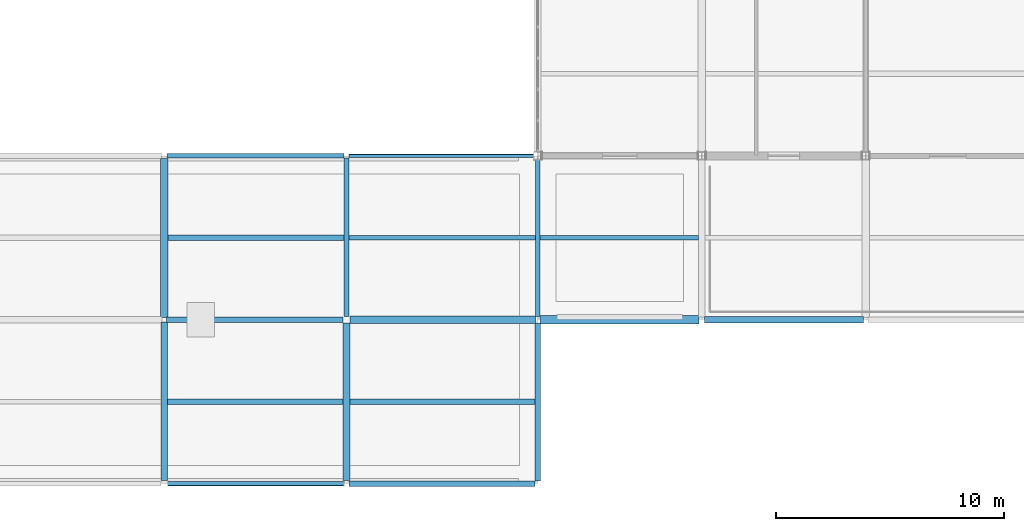
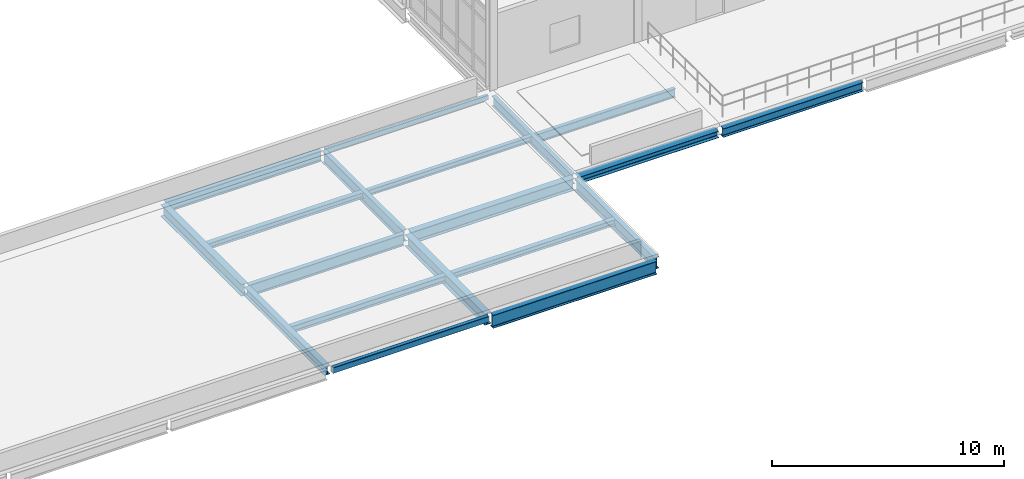
# One storey, part 38 of 153: 19 beams.
"""IFC4 building model written with IfcOpenShell, lengths in metres."""

from ifc_helpers import new_model, si_unit, direction, frame, origin, origin_2d, place, context, subcontext, project, spatial, hollow_rectangle, i_section, extrude, material, material_profile, profile_set, type_object, element, save


model = new_model("IFC4")

# Units and contexts
model_context = context("Model", 3, precision=1e-05, world=origin(), true_north=direction((0.0, 1.0)))
body_context = subcontext(model_context, "Body", "Model", "MODEL_VIEW")
ifc_project = project(units=[si_unit("LENGTHUNIT", "METRE"), si_unit("AREAUNIT", "SQUARE_METRE"), si_unit("VOLUMEUNIT", "CUBIC_METRE"), si_unit("PLANEANGLEUNIT", "RADIAN"), si_unit("MASSUNIT", "GRAM", prefix="KILO")], contexts=[model_context])

# Site, building, storey
site_placement = place(None, origin())
site = spatial("IfcSite", under=ifc_project, at=site_placement, CompositionType="ELEMENT")
building_placement = place(site_placement, origin())
building = spatial("IfcBuilding", under=site, at=building_placement, Name="Calvrana Isthmian Art Gallery", CompositionType="ELEMENT")
storey_placement = place(building_placement, frame((0.0, 0.0, 10.199951171875)))
storey = spatial("IfcBuildingStorey", under=building, at=storey_placement, Name="L02", CompositionType="ELEMENT", Elevation=10.199951171875)

# Beams
ifc_material_1 = material(Name="Steel ASTM A992 Gr 50", Category="steel")
ifc_material_profile_1 = material_profile(ifc_material_1, i_section(OverallWidth=0.279052734375, OverallDepth=0.4619140625, WebThickness=0.0107421875, FlangeThickness=0.017333984375, FilletRadius=0.02001953125, at=origin_2d()), Name="W18X76")
ifc_profile_set_1 = profile_set([ifc_material_profile_1], Name="Steel ASTM A992 Gr 50")
beam_type_1 = type_object("IfcBeamType", Name="BM-G-W18X76", PredefinedType="BEAM", material=ifc_profile_set_1)
beam_1_placement = place(storey_placement, frame((120.126953125, 7.199951171875, -0.495849609375), z_axis=(1.0, 0.0, 0.0), x_axis=(0.0, 1.0, 0.0)))
element("IfcBeam", 1, at=beam_1_placement, inside=storey, type_object=beam_type_1, Name="Girder X L02 16-17/B", PredefinedType="BEAM", context=body_context, shape_type="SweptSolid", body=[
    extrude(i_section(OverallWidth=0.279052734375, OverallDepth=0.4619140625, WebThickness=0.0107421875, FlangeThickness=0.017333984375, FilletRadius=0.02001953125, at=origin_2d()), origin(), (0.0, 0.0, 1.0), 6.971435546875),
])
beam_2_placement = place(storey_placement, frame((96.39990234375, 0.15234375, -0.495849609375), z_axis=(0.0, 1.0, 0.0), x_axis=(-1.0, 0.0, 0.0)))
element("IfcBeam", 2, at=beam_2_placement, inside=storey, type_object=beam_type_1, Name="Girder Y L02 13/A-B", PredefinedType="BEAM", context=body_context, shape_type="SweptSolid", body=[
    extrude(i_section(OverallWidth=0.279052734375, OverallDepth=0.4619140625, WebThickness=0.0107421875, FlangeThickness=0.017333984375, FilletRadius=0.02001953125, at=origin_2d()), origin(), (0.0, 0.0, 1.0), 6.946044921875),
])
ifc_material_profile_2 = material_profile(ifc_material_1, i_section(OverallWidth=0.208984375, OverallDepth=0.532958984375, WebThickness=0.01025390625, FlangeThickness=0.015625, FilletRadius=0.02099609375, at=origin_2d()), Name="W21X62")
ifc_profile_set_2 = profile_set([ifc_material_profile_2], Name="Steel ASTM A992 Gr 50")
beam_type_2 = type_object("IfcBeamType", Name="BM-G-W21X62", PredefinedType="BEAM", material=ifc_profile_set_2)
beam_3_placement = place(storey_placement, frame((112.800048828125, 7.352294921875, -0.531494140625), z_axis=(0.0, 1.0, 0.0), x_axis=(-1.0, 0.0, 0.0)))
element("IfcBeam", 3, at=beam_3_placement, inside=storey, type_object=beam_type_2, Name="Girder Y L02 15/B-C", PredefinedType="BEAM", context=body_context, shape_type="SweptSolid", body=[
    extrude(i_section(OverallWidth=0.208984375, OverallDepth=0.532958984375, WebThickness=0.01025390625, FlangeThickness=0.015625, FilletRadius=0.02099609375, at=origin_2d()), origin(), (0.0, 0.0, 1.0), 6.86376953125),
])
ifc_material_profile_3 = material_profile(ifc_material_1, i_section(OverallWidth=0.214111328125, OverallDepth=0.549072265625, WebThickness=0.0146484375, FlangeThickness=0.023681640625, FilletRadius=0.02099609375, at=origin_2d()), Name="W21X93")
ifc_profile_set_3 = profile_set([ifc_material_profile_3], Name="Steel ASTM A992 Gr 50")
beam_type_3 = type_object("IfcBeamType", Name="BM-G-W21X93", PredefinedType="BEAM", material=ifc_profile_set_3)
beam_4_placement = place(storey_placement, frame((96.527099609375, 14.39990234375, -0.53955078125), z_axis=(1.0, 0.0, 0.0), x_axis=(0.0, 1.0, 0.0)))
element("IfcBeam", 4, at=beam_4_placement, inside=storey, type_object=beam_type_3, Name="Girder X L02 13-14/C", PredefinedType="BEAM", context=body_context, shape_type="SweptSolid", body=[
    extrude(i_section(OverallWidth=0.214111328125, OverallDepth=0.549072265625, WebThickness=0.0146484375, FlangeThickness=0.023681640625, FilletRadius=0.02099609375, at=origin_2d()), origin(), (0.0, 0.0, 1.0), 7.771240234375),
])
ifc_material_profile_4 = material_profile(ifc_material_1, i_section(OverallWidth=0.324951171875, OverallDepth=0.612060546875, WebThickness=0.0126953125, FlangeThickness=0.01904296875, FilletRadius=0.02197265625, at=origin_2d()), Name="W24X104")
ifc_profile_set_4 = profile_set([ifc_material_profile_4], Name="Steel ASTM A992 Gr 50")
beam_type_4 = type_object("IfcBeamType", Name="BM-G-W24X104", PredefinedType="BEAM", material=ifc_profile_set_4)
beam_5_placement = place(storey_placement, frame((96.39990234375, 7.301513671875, -0.571044921875), z_axis=(0.0, 1.0, 0.0), x_axis=(-1.0, 0.0, 0.0)))
element("IfcBeam", 5, at=beam_5_placement, inside=storey, type_object=beam_type_4, Name="Girder Y L02 13/B-C", PredefinedType="BEAM", context=body_context, shape_type="SweptSolid", body=[
    extrude(i_section(OverallWidth=0.324951171875, OverallDepth=0.612060546875, WebThickness=0.0126953125, FlangeThickness=0.01904296875, FilletRadius=0.02197265625, at=origin_2d()), origin(), (0.0, 0.0, 1.0), 6.971435546875),
])
beam_6_placement = place(storey_placement, frame((104.39990234375, 0.15234375, -0.571044921875), z_axis=(0.0, 1.0, 0.0), x_axis=(-1.0, 0.0, 0.0)))
element("IfcBeam", 6, at=beam_6_placement, inside=storey, type_object=beam_type_4, Name="Girder Y L02 14/A-B", PredefinedType="BEAM", context=body_context, shape_type="SweptSolid", body=[
    extrude(i_section(OverallWidth=0.324951171875, OverallDepth=0.612060546875, WebThickness=0.0126953125, FlangeThickness=0.01904296875, FilletRadius=0.02197265625, at=origin_2d()), origin(), (0.0, 0.0, 1.0), 6.895263671875),
])
ifc_material_profile_5 = material_profile(ifc_material_1, i_section(OverallWidth=0.327880859375, OverallDepth=0.6220703125, WebThickness=0.015380859375, FlangeThickness=0.0244140625, FilletRadius=0.02197265625, at=origin_2d()), Name="W24X131")
ifc_profile_set_5 = profile_set([ifc_material_profile_5], Name="Steel ASTM A992 Gr 50")
beam_type_5 = type_object("IfcBeamType", Name="BM-G-W24X131", PredefinedType="BEAM", material=ifc_profile_set_5)
beam_7_placement = place(storey_placement, frame((104.552490234375, 7.199951171875, -0.575927734375), z_axis=(1.0, 0.0, 0.0), x_axis=(0.0, 1.0, 0.0)))
element("IfcBeam", 7, at=beam_7_placement, inside=storey, type_object=beam_type_5, Name="Girder X L02 14-15/B", PredefinedType="BEAM", context=body_context, shape_type="SweptSolid", body=[
    extrude(i_section(OverallWidth=0.327880859375, OverallDepth=0.6220703125, WebThickness=0.015380859375, FlangeThickness=0.0244140625, FilletRadius=0.02197265625, at=origin_2d()), origin(), (0.0, 0.0, 1.0), 8.14599609375),
])
ifc_material_profile_6 = material_profile(ifc_material_1, i_section(OverallWidth=0.22802734375, OverallDepth=0.60693359375, WebThickness=0.01123046875, FlangeThickness=0.017333984375, FilletRadius=0.02197265625, at=origin_2d()), Name="W24X76")
ifc_profile_set_6 = profile_set([ifc_material_profile_6], Name="Steel ASTM A992 Gr 50")
beam_type_6 = type_object("IfcBeamType", Name="BM-G-W24X76", PredefinedType="BEAM", material=ifc_profile_set_6)
beam_8_placement = place(storey_placement, frame((96.501708984375, 7.199951171875, -0.568359375), z_axis=(1.0, 0.0, 0.0), x_axis=(0.0, 1.0, 0.0)))
element("IfcBeam", 8, at=beam_8_placement, inside=storey, type_object=beam_type_6, Name="Girder X L02 13-14/B", PredefinedType="BEAM", context=body_context, shape_type="SweptSolid", body=[
    extrude(i_section(OverallWidth=0.22802734375, OverallDepth=0.60693359375, WebThickness=0.01123046875, FlangeThickness=0.017333984375, FilletRadius=0.02197265625, at=origin_2d()), origin(), (0.0, 0.0, 1.0), 7.745849609375),
])
beam_9_placement = place(storey_placement, frame((104.39990234375, 7.352294921875, -0.568359375), z_axis=(0.0, 1.0, 0.0), x_axis=(-1.0, 0.0, 0.0)))
element("IfcBeam", 9, at=beam_9_placement, inside=storey, type_object=beam_type_6, Name="Girder Y L02 14/B-C", PredefinedType="BEAM", context=body_context, shape_type="SweptSolid", body=[
    extrude(i_section(OverallWidth=0.22802734375, OverallDepth=0.60693359375, WebThickness=0.01123046875, FlangeThickness=0.017333984375, FilletRadius=0.02197265625, at=origin_2d()), origin(), (0.0, 0.0, 1.0), 6.946044921875),
])
beam_10_placement = place(storey_placement, frame((112.800048828125, 0.126953125, -0.568359375), z_axis=(0.0, 1.0, 0.0), x_axis=(-1.0, 0.0, 0.0)))
element("IfcBeam", 10, at=beam_10_placement, inside=storey, type_object=beam_type_6, Name="Girder Y L02 15/A-B", PredefinedType="BEAM", context=body_context, shape_type="SweptSolid", body=[
    extrude(i_section(OverallWidth=0.22802734375, OverallDepth=0.60693359375, WebThickness=0.01123046875, FlangeThickness=0.017333984375, FilletRadius=0.02197265625, at=origin_2d()), origin(), (0.0, 0.0, 1.0), 6.920654296875),
])
ifc_material_profile_7 = material_profile(ifc_material_1, i_section(OverallWidth=0.257080078125, OverallDepth=0.693115234375, WebThickness=0.014404296875, FlangeThickness=0.023681640625, FilletRadius=0.02392578125, at=origin_2d()), Name="W27X114")
ifc_profile_set_7 = profile_set([ifc_material_profile_7], Name="Steel ASTM A992 Gr 50")
beam_type_7 = type_object("IfcBeamType", Name="BM-G-W27X114", PredefinedType="BEAM", material=ifc_profile_set_7)
beam_11_placement = place(storey_placement, frame((104.501708984375, 0.0, -0.611572265625), z_axis=(1.0, 0.0, 0.0), x_axis=(0.0, 1.0, 0.0)))
element("IfcBeam", 11, at=beam_11_placement, inside=storey, type_object=beam_type_7, Name="Girder X L02 14-15/A", PredefinedType="BEAM", context=body_context, shape_type="SweptSolid", body=[
    extrude(i_section(OverallWidth=0.257080078125, OverallDepth=0.693115234375, WebThickness=0.014404296875, FlangeThickness=0.023681640625, FilletRadius=0.02392578125, at=origin_2d()), origin(), (0.0, 0.0, 1.0), 8.17138671875),
])
ifc_material_profile_8 = material_profile(ifc_material_1, i_section(OverallWidth=0.202880859375, OverallDepth=0.302001953125, WebThickness=0.007568359375, FlangeThickness=0.01318359375, FilletRadius=0.01611328125, at=origin_2d()), Name="W12X40")
ifc_profile_set_8 = profile_set([ifc_material_profile_8], Name="Steel ASTM A992 Gr 50")
beam_type_8 = type_object("IfcBeamType", Name="BM-J-W12X40", PredefinedType="JOIST", material=ifc_profile_set_8)
beam_12_placement = place(storey_placement, frame((104.513916015625, 10.800048828125, -0.416015625), z_axis=(1.0, 0.0, 0.0), x_axis=(0.0, 1.0, 0.0)))
element("IfcBeam", 12, at=beam_12_placement, inside=storey, type_object=beam_type_8, Name="Composite joist L02 bay 13-01", PredefinedType="JOIST", context=body_context, shape_type="SweptSolid", body=[
    extrude(i_section(OverallWidth=0.202880859375, OverallDepth=0.302001953125, WebThickness=0.007568359375, FlangeThickness=0.01318359375, FilletRadius=0.01611328125, at=origin_2d()), origin(), (0.0, 0.0, 1.0), 8.181640625),
])
ifc_material_profile_9 = material_profile(ifc_material_1, i_section(OverallWidth=0.25390625, OverallDepth=0.306884765625, WebThickness=0.0087890625, FlangeThickness=0.0146484375, FilletRadius=0.01611328125, at=origin_2d()), Name="W12X53")
ifc_profile_set_9 = profile_set([ifc_material_profile_9], Name="Steel ASTM A992 Gr 50")
beam_type_9 = type_object("IfcBeamType", Name="BM-J-W12X53", PredefinedType="JOIST", material=ifc_profile_set_9)
beam_13_placement = place(storey_placement, frame((96.5625, 10.800048828125, -0.41845703125), z_axis=(1.0, 0.0, 0.0), x_axis=(0.0, 1.0, 0.0)))
element("IfcBeam", 13, at=beam_13_placement, inside=storey, type_object=beam_type_9, Name="Composite joist L02 bay 12-01", PredefinedType="JOIST", context=body_context, shape_type="SweptSolid", body=[
    extrude(i_section(OverallWidth=0.25390625, OverallDepth=0.306884765625, WebThickness=0.0087890625, FlangeThickness=0.0146484375, FilletRadius=0.01611328125, at=origin_2d()), origin(), (0.0, 0.0, 1.0), 7.723388671875),
])
beam_14_placement = place(storey_placement, frame((104.5625, 3.60009765625, -0.41845703125), z_axis=(1.0, 0.0, 0.0), x_axis=(0.0, 1.0, 0.0)))
element("IfcBeam", 14, at=beam_14_placement, inside=storey, type_object=beam_type_9, Name="Composite joist L02 bay 13-00", PredefinedType="JOIST", context=body_context, shape_type="SweptSolid", body=[
    extrude(i_section(OverallWidth=0.25390625, OverallDepth=0.306884765625, WebThickness=0.0087890625, FlangeThickness=0.0146484375, FilletRadius=0.01611328125, at=origin_2d()), origin(), (0.0, 0.0, 1.0), 8.12353515625),
])
ifc_material_profile_10 = material_profile(ifc_material_1, i_section(OverallWidth=0.25390625, OverallDepth=0.35302734375, WebThickness=0.009521484375, FlangeThickness=0.016357421875, FilletRadius=0.01806640625, at=origin_2d()), Name="W14X61")
ifc_profile_set_10 = profile_set([ifc_material_profile_10], Name="Steel ASTM A992 Gr 50")
beam_type_10 = type_object("IfcBeamType", Name="BM-J-W14X61", PredefinedType="JOIST", material=ifc_profile_set_10)
beam_15_placement = place(storey_placement, frame((96.53955078125, 3.60009765625, -0.44140625), z_axis=(1.0, 0.0, 0.0), x_axis=(0.0, 1.0, 0.0)))
element("IfcBeam", 15, at=beam_15_placement, inside=storey, type_object=beam_type_10, Name="Composite joist L02 bay 12-00", PredefinedType="JOIST", context=body_context, shape_type="SweptSolid", body=[
    extrude(i_section(OverallWidth=0.25390625, OverallDepth=0.35302734375, WebThickness=0.009521484375, FlangeThickness=0.016357421875, FilletRadius=0.01806640625, at=origin_2d()), origin(), (0.0, 0.0, 1.0), 7.697998046875),
])
ifc_material_profile_11 = material_profile(ifc_material_1, i_section(OverallWidth=0.19091796875, OverallDepth=0.45703125, WebThickness=0.009033203125, FlangeThickness=0.014404296875, FilletRadius=0.02001953125, at=origin_2d()), Name="W18X50")
ifc_profile_set_11 = profile_set([ifc_material_profile_11], Name="Steel ASTM A992 Gr 50")
beam_type_11 = type_object("IfcBeamType", Name="BM-J-W18X50", PredefinedType="JOIST", material=ifc_profile_set_11)
beam_16_placement = place(storey_placement, frame((112.904541015625, 10.800048828125, -0.493408203125), z_axis=(1.0, 0.0, 0.0), x_axis=(0.0, 1.0, 0.0)))
element("IfcBeam", 16, at=beam_16_placement, inside=storey, type_object=beam_type_11, Name="Composite joist L02 bay 14-01", PredefinedType="JOIST", context=body_context, shape_type="SweptSolid", body=[
    extrude(i_section(OverallWidth=0.19091796875, OverallDepth=0.45703125, WebThickness=0.009033203125, FlangeThickness=0.014404296875, FilletRadius=0.02001953125, at=origin_2d()), origin(), (0.0, 0.0, 1.0), 6.9560546875),
])
ifc_material_2 = material(Name="Steel ASTM A500 Gr C", Category="steel")
ifc_material_profile_12 = material_profile(ifc_material_2, hollow_rectangle(XDim=0.15234375, YDim=0.25390625, WallThickness=0.009521484375, OuterFilletRadius=0.01904296875, at=origin_2d()), Name="HSS254X152X9.5")
ifc_profile_set_12 = profile_set([ifc_material_profile_12], Name="Steel ASTM A500 Gr C")
beam_type_12 = type_object("IfcBeamType", Name="BM-SP-HSS254", PredefinedType="SPANDREL", material=ifc_profile_set_12)
beam_17_placement = place(storey_placement, frame((104.501708984375, 14.39990234375, -0.391845703125), z_axis=(1.0, 0.0, 0.0), x_axis=(0.0, 1.0, 0.0)))
element("IfcBeam", 17, at=beam_17_placement, inside=storey, type_object=beam_type_12, Name="Girder X L02 14-15/C", PredefinedType="SPANDREL", context=body_context, shape_type="SweptSolid", body=[
    extrude(hollow_rectangle(XDim=0.15234375, YDim=0.25390625, WallThickness=0.009521484375, OuterFilletRadius=0.01904296875, at=origin_2d()), origin(), (0.0, 0.0, 1.0), 8.11181640625),
])
ifc_material_profile_13 = material_profile(ifc_material_2, hollow_rectangle(XDim=0.203125, YDim=0.3046875, WallThickness=0.0126953125, OuterFilletRadius=0.02490234375, at=origin_2d()), Name="HSS305X203X12.7")
ifc_profile_set_13 = profile_set([ifc_material_profile_13], Name="Steel ASTM A500 Gr C")
beam_type_13 = type_object("IfcBeamType", Name="BM-SP-HSS305", PredefinedType="SPANDREL", material=ifc_profile_set_13)
beam_18_placement = place(storey_placement, frame((96.552490234375, 0.0, -0.417236328125), z_axis=(1.0, 0.0, 0.0), x_axis=(0.0, 1.0, 0.0)))
element("IfcBeam", 18, at=beam_18_placement, inside=storey, type_object=beam_type_13, Name="Girder X L02 13-14/A", PredefinedType="SPANDREL", context=body_context, shape_type="SweptSolid", body=[
    extrude(hollow_rectangle(XDim=0.203125, YDim=0.3046875, WallThickness=0.0126953125, OuterFilletRadius=0.02490234375, at=origin_2d()), origin(), (0.0, 0.0, 1.0), 7.745849609375),
])
ifc_material_profile_14 = material_profile(ifc_material_1, i_section(OverallWidth=0.367919921875, OverallDepth=0.35595703125, WebThickness=0.01123046875, FlangeThickness=0.01806640625, FilletRadius=0.02490234375, at=origin_2d()), Name="W14X90")
ifc_profile_set_14 = profile_set([ifc_material_profile_14], Name="Steel ASTM A992 Gr 50")
beam_type_14 = type_object("IfcBeamType", Name="BM-SP-W14X90", PredefinedType="SPANDREL", material=ifc_profile_set_14)
beam_19_placement = place(storey_placement, frame((112.901611328125, 7.199951171875, -0.44287109375), z_axis=(1.0, 0.0, 0.0), x_axis=(0.0, 1.0, 0.0)))
element("IfcBeam", 19, at=beam_19_placement, inside=storey, type_object=beam_type_14, Name="Girder X L02 15-16/B", PredefinedType="SPANDREL", context=body_context, shape_type="SweptSolid", body=[
    extrude(i_section(OverallWidth=0.367919921875, OverallDepth=0.35595703125, WebThickness=0.01123046875, FlangeThickness=0.01806640625, FilletRadius=0.02490234375, at=origin_2d()), origin(), (0.0, 0.0, 1.0), 6.971435546875),
])

save(model, "model.ifc")
